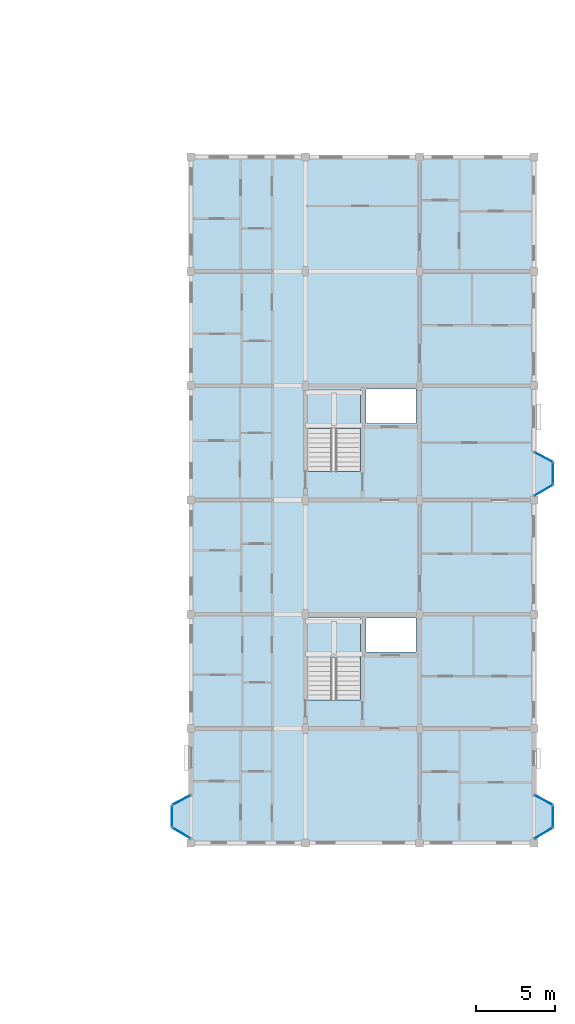
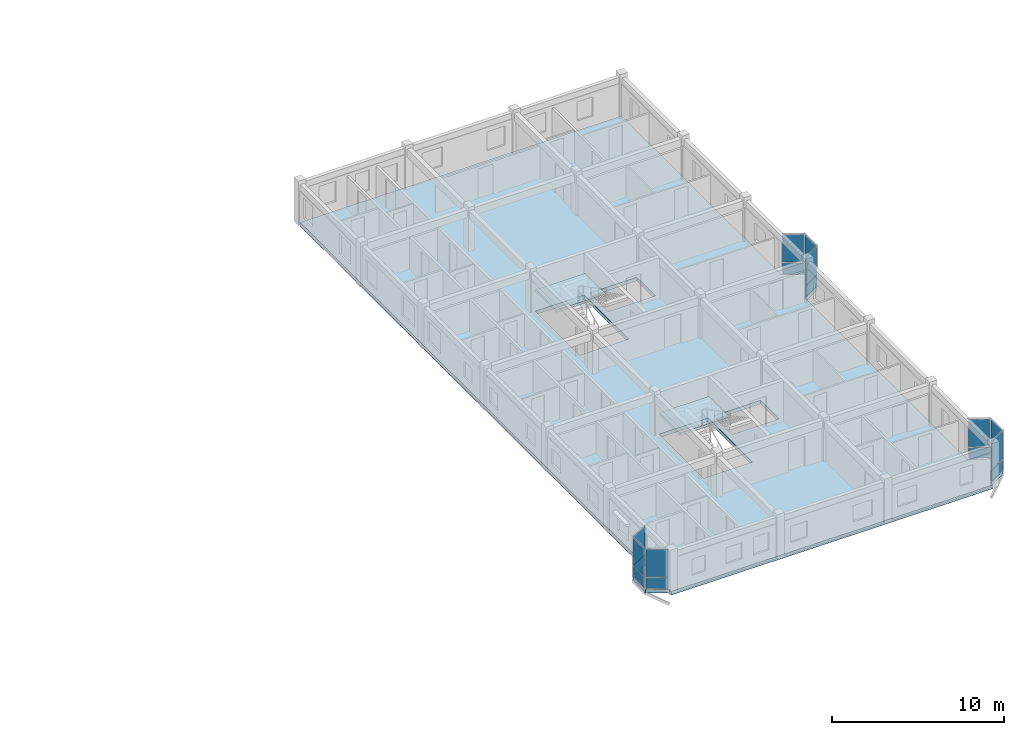
# One storey, part 42 of 65: 18 plates, 3 slabs, 11 elements without a shape of their own.
"""IFC4 building model written with IfcOpenShell, lengths in metres."""

from ifc_helpers import new_model, si_unit, direction, frame, origin, origin_2d, place, context, subcontext, project, spatial, polyline, rectangle, outline, extrude, material, layer, layer_set, type_object, element, aggregate, save


model = new_model("IFC4")

# Units and contexts
model_context = context("Model", 3, precision=1e-05, world=origin(), true_north=direction((0.0, 1.0)))
body_context = subcontext(model_context, "Body", "Model", "MODEL_VIEW")
ifc_project = project(units=[si_unit("LENGTHUNIT", "METRE"), si_unit("AREAUNIT", "SQUARE_METRE"), si_unit("VOLUMEUNIT", "CUBIC_METRE"), si_unit("PLANEANGLEUNIT", "RADIAN"), si_unit("MASSUNIT", "GRAM", prefix="KILO"), si_unit("THERMODYNAMICTEMPERATUREUNIT", "KELVIN"), si_unit("POWERUNIT", "WATT")], contexts=[model_context])

# Site, building, storey
site_placement = place(None, origin())
site = spatial("IfcSite", under=ifc_project, at=site_placement, CompositionType="ELEMENT")
building_placement = place(site_placement, origin())
building = spatial("IfcBuilding", under=site, at=building_placement, Name="Tavuni Mirador Residences", CompositionType="ELEMENT")
storey_placement = place(building_placement, frame((0.0, 0.0, 29.699951171875)))
storey = spatial("IfcBuildingStorey", under=building, at=storey_placement, Name="L09", CompositionType="ELEMENT", Elevation=29.699951171875)

# Curtain wall, plate
ifc_material_1 = material(Name="Anodised aluminium", Category="aluminium")
ifc_layer_1 = layer(ifc_material_1, 0.1650390625, Name="Anodised aluminium", Category="aluminium")
ifc_layer_set_1 = layer_set([ifc_layer_1], Name="Anodised aluminium")
curtain_wall_type_1 = type_object("IfcCurtainWallType", Name="CWT-MIR-A", PredefinedType="NOTDEFINED", material=ifc_layer_set_1)
curtain_wall_1_placement = place(storey_placement, origin())
curtain_wall_1 = element("IfcCurtainWall", 1, at=curtain_wall_1_placement, inside=storey, type_object=curtain_wall_type_1, Name="CW-MIR-D-E1-L09-MF", PredefinedType="NOTDEFINED")
ifc_material_2 = material(Name="Laminated solar-control glass", Category="glass")
ifc_layer_2 = layer(ifc_material_2, 0.02392578125, Name="Laminated solar-control glass", Category="glass")
ifc_layer_set_2 = layer_set([ifc_layer_2], Name="Laminated solar-control glass")
plate_type_1 = type_object("IfcPlateType", Name="CWP-GL24", PredefinedType="CURTAIN_PANEL", material=ifc_layer_set_2)
plate_1_placement = place(storey_placement, frame((120.0, 88.070068359375, 0.8798828125), z_axis=(0.0, 0.0, 1.0), x_axis=(0.0, 1.0, 0.0)))
plate_1 = element("IfcPlate", 2, at=plate_1_placement, type_object=plate_type_1, Name="CW-01 panel 1.2", PredefinedType="CURTAIN_PANEL", context=body_context, shape_type="SweptSolid", body=[
    extrude(rectangle(XDim=1.300048828125, YDim=0.02392578125, at=origin_2d()), origin(), (0.0, 0.0, 1.0), 1.949951171875),
])

curtain_wall_2_placement = place(storey_placement, origin())
curtain_wall_2 = element("IfcCurtainWall", 3, at=curtain_wall_2_placement, inside=storey, type_object=curtain_wall_type_1, Name="CW-MIR-D-E2-L09-M2", PredefinedType="NOTDEFINED")
plate_2_placement = place(storey_placement, frame((119.39990234375, 110.699951171875, 0.8798828125), z_axis=(0.0, 0.0, 1.0), x_axis=(-0.882352941175, 0.470588235296, 0.0)))
plate_2 = element("IfcPlate", 4, at=plate_2_placement, type_object=plate_type_1, Name="CW-01 panel 1.2", PredefinedType="CURTAIN_PANEL", context=body_context, shape_type="SweptSolid", body=[
    extrude(rectangle(XDim=1.239990234375, YDim=0.02392578125, at=origin_2d()), origin(), (0.0, 0.0, 1.0), 1.949951171875),
])

ifc_layer_3 = layer(ifc_material_1, 0.14990234375, Name="Anodised aluminium", Category="aluminium")
ifc_layer_set_3 = layer_set([ifc_layer_3], Name="Anodised aluminium")
curtain_wall_type_2 = type_object("IfcCurtainWallType", Name="CWT-MIR-B", PredefinedType="NOTDEFINED", material=ifc_layer_set_3)
curtain_wall_3_placement = place(storey_placement, origin())
curtain_wall_3 = element("IfcCurtainWall", 5, at=curtain_wall_3_placement, inside=storey, type_object=curtain_wall_type_2, Name="CW-MIR-D-E1-L09-M2", PredefinedType="NOTDEFINED")
ifc_layer_4 = layer(ifc_material_2, 0.028076171875, Name="Laminated solar-control glass", Category="glass")
ifc_layer_set_4 = layer_set([ifc_layer_4], Name="Laminated solar-control glass")
plate_type_2 = type_object("IfcPlateType", Name="CWP-GL28", PredefinedType="CURTAIN_PANEL", material=ifc_layer_set_4)
plate_3_placement = place(storey_placement, frame((119.39990234375, 89.10009765625, 0.882568359375), z_axis=(0.0, 0.0, 1.0), x_axis=(-0.882352941175, 0.470588235296, 0.0)))
plate_3 = element("IfcPlate", 6, at=plate_3_placement, type_object=plate_type_2, Name="CW-02 panel 1.2", PredefinedType="CURTAIN_PANEL", context=body_context, shape_type="SweptSolid", body=[
    extrude(rectangle(XDim=1.22998046875, YDim=0.028076171875, at=origin_2d()), origin(), (0.0, 0.0, 1.0), 1.9423828125),
])

curtain_wall_4_placement = place(storey_placement, origin())
curtain_wall_4 = element("IfcCurtainWall", 7, at=curtain_wall_4_placement, inside=storey, type_object=curtain_wall_type_2, Name="CW-MIR-D-WU-L09-M1", PredefinedType="NOTDEFINED")
plate_4_placement = place(storey_placement, frame((96.60009765625, 89.10009765625, 0.882568359375), z_axis=(0.0, 0.0, 1.0), x_axis=(-0.882352941175, -0.470588235296, 0.0)))
plate_4 = element("IfcPlate", 8, at=plate_4_placement, type_object=plate_type_2, Name="CW-02 panel 1.2", PredefinedType="CURTAIN_PANEL", context=body_context, shape_type="SweptSolid", body=[
    extrude(rectangle(XDim=1.22998046875, YDim=0.028076171875, at=origin_2d()), origin(), (0.0, 0.0, 1.0), 1.9423828125),
])

ifc_layer_5 = layer(ifc_material_1, 0.175048828125, Name="Anodised aluminium", Category="aluminium")
ifc_layer_set_5 = layer_set([ifc_layer_5], Name="Anodised aluminium")
curtain_wall_type_3 = type_object("IfcCurtainWallType", Name="CWT-MIR-C", PredefinedType="NOTDEFINED", material=ifc_layer_set_5)
curtain_wall_5_placement = place(storey_placement, origin())
curtain_wall_5 = element("IfcCurtainWall", 9, at=curtain_wall_5_placement, inside=storey, type_object=curtain_wall_type_3, Name="CW-MIR-D-E2-L09-M1", PredefinedType="NOTDEFINED")
ifc_layer_6 = layer(ifc_material_2, 0.031982421875, Name="Laminated solar-control glass", Category="glass")
ifc_layer_set_6 = layer_set([ifc_layer_6], Name="Laminated solar-control glass")
plate_type_3 = type_object("IfcPlateType", Name="CWP-GL32", PredefinedType="CURTAIN_PANEL", material=ifc_layer_set_6)
plate_5_placement = place(storey_placement, frame((119.39990234375, 108.60498046875, 0.8798828125), z_axis=(0.0, 0.0, 1.0), x_axis=(0.860640830284, 0.509212491254, 0.0)))
plate_5 = element("IfcPlate", 10, at=plate_5_placement, type_object=plate_type_3, Name="CW-03 panel 1.2", PredefinedType="CURTAIN_PANEL", context=body_context, shape_type="SweptSolid", body=[
    extrude(rectangle(XDim=1.2744140625, YDim=0.031982421875, at=origin_2d()), origin(), (0.0, 0.0, 1.0), 1.949951171875),
])

curtain_wall_6_placement = place(storey_placement, origin())
curtain_wall_6 = element("IfcCurtainWall", 11, at=curtain_wall_6_placement, inside=storey, type_object=curtain_wall_type_3, Name="CW-MIR-D-WU-L09-MF", PredefinedType="NOTDEFINED")
plate_6_placement = place(storey_placement, frame((96.0, 88.070068359375, 0.8798828125), z_axis=(0.0, 0.0, 1.0), x_axis=(0.0, -1.0, 0.0)))
plate_6 = element("IfcPlate", 12, at=plate_6_placement, type_object=plate_type_3, Name="CW-03 panel 1.2", PredefinedType="CURTAIN_PANEL", context=body_context, shape_type="SweptSolid", body=[
    extrude(rectangle(XDim=1.300048828125, YDim=0.031982421875, at=origin_2d()), origin(), (0.0, 0.0, 1.0), 1.949951171875),
])

ifc_layer_7 = layer(ifc_material_1, 0.159912109375, Name="Anodised aluminium", Category="aluminium")
ifc_layer_set_7 = layer_set([ifc_layer_7], Name="Anodised aluminium")
curtain_wall_type_4 = type_object("IfcCurtainWallType", Name="CWT-MIR-D", PredefinedType="NOTDEFINED", material=ifc_layer_set_7)
curtain_wall_7_placement = place(storey_placement, origin())
curtain_wall_7 = element("IfcCurtainWall", 13, at=curtain_wall_7_placement, inside=storey, type_object=curtain_wall_type_4, Name="CW-MIR-D-E1-L09-M1", PredefinedType="NOTDEFINED")
ifc_layer_8 = layer(ifc_material_2, 0.035888671875, Name="Laminated solar-control glass", Category="glass")
ifc_layer_set_8 = layer_set([ifc_layer_8], Name="Laminated solar-control glass")
plate_type_4 = type_object("IfcPlateType", Name="CWP-GL36", PredefinedType="CURTAIN_PANEL", material=ifc_layer_set_8)
plate_7_placement = place(storey_placement, frame((119.39990234375, 87.0048828125, 0.882568359375), z_axis=(0.0, 0.0, 1.0), x_axis=(0.860640830284, 0.509212491254, 0.0)))
plate_7 = element("IfcPlate", 14, at=plate_7_placement, type_object=plate_type_4, Name="CW-04 panel 1.2", PredefinedType="CURTAIN_PANEL", context=body_context, shape_type="SweptSolid", body=[
    extrude(rectangle(XDim=1.264404296875, YDim=0.035888671875, at=origin_2d()), origin(), (0.0, 0.0, 1.0), 1.9423828125),
])

curtain_wall_8_placement = place(storey_placement, origin())
curtain_wall_8 = element("IfcCurtainWall", 15, at=curtain_wall_8_placement, inside=storey, type_object=curtain_wall_type_4, Name="CW-MIR-D-E2-L09-MF", PredefinedType="NOTDEFINED")
plate_8_placement = place(storey_placement, frame((120.0, 109.669921875, 0.882568359375), z_axis=(0.0, 0.0, 1.0), x_axis=(0.0, 1.0, 0.0)))
plate_8 = element("IfcPlate", 16, at=plate_8_placement, type_object=plate_type_4, Name="CW-04 panel 1.2", PredefinedType="CURTAIN_PANEL", context=body_context, shape_type="SweptSolid", body=[
    extrude(rectangle(XDim=1.2900390625, YDim=0.035888671875, at=origin_2d()), origin(), (0.0, 0.0, 1.0), 1.9423828125),
])

curtain_wall_9_placement = place(storey_placement, origin())
curtain_wall_9 = element("IfcCurtainWall", 17, at=curtain_wall_9_placement, inside=storey, type_object=curtain_wall_type_4, Name="CW-MIR-D-WU-L09-M2", PredefinedType="NOTDEFINED")
plate_9_placement = place(storey_placement, frame((96.60009765625, 87.0048828125, 0.882568359375), z_axis=(0.0, 0.0, 1.0), x_axis=(0.860640830284, -0.509212491254, 0.0)))
plate_9 = element("IfcPlate", 18, at=plate_9_placement, type_object=plate_type_4, Name="CW-04 panel 1.2", PredefinedType="CURTAIN_PANEL", context=body_context, shape_type="SweptSolid", body=[
    extrude(rectangle(XDim=1.264404296875, YDim=0.035888671875, at=origin_2d()), origin(), (0.0, 0.0, 1.0), 1.9423828125),
])

# Plate
ifc_material_3 = material(Name="Ceramic trencadis mosaic panel", Category="masonry")
ifc_layer_9 = layer(ifc_material_3, 0.0419921875, Name="Ceramic trencadis mosaic panel", Category="masonry")
ifc_layer_set_9 = layer_set([ifc_layer_9], Name="Ceramic trencadis mosaic panel")
plate_type_5 = type_object("IfcPlateType", Name="CWP-SP42", PredefinedType="CURTAIN_PANEL", material=ifc_layer_set_9)
plate_10_placement = place(storey_placement, frame((120.0, 88.070068359375, 0.06005859375), z_axis=(0.0, 0.0, 1.0), x_axis=(0.0, 1.0, 0.0)))
plate_10 = element("IfcPlate", 19, at=plate_10_placement, type_object=plate_type_5, Name="CW-01 panel 1.1", PredefinedType="CURTAIN_PANEL", context=body_context, shape_type="SweptSolid", body=[
    extrude(rectangle(XDim=1.300048828125, YDim=0.0419921875, at=origin_2d()), origin(), (0.0, 0.0, 1.0), 0.760009765625),
])

aggregate(curtain_wall_1, [plate_10, plate_1])

plate_11_placement = place(storey_placement, frame((119.39990234375, 108.60498046875, 0.06005859375), z_axis=(0.0, 0.0, 1.0), x_axis=(0.860640830284, 0.509212491254, 0.0)))
plate_11 = element("IfcPlate", 20, at=plate_11_placement, type_object=plate_type_5, Name="CW-03 panel 1.1", PredefinedType="CURTAIN_PANEL", context=body_context, shape_type="SweptSolid", body=[
    extrude(rectangle(XDim=1.2744140625, YDim=0.0419921875, at=origin_2d()), origin(), (0.0, 0.0, 1.0), 0.760009765625),
])

aggregate(curtain_wall_5, [plate_11, plate_5])

plate_12_placement = place(storey_placement, frame((119.39990234375, 110.699951171875, 0.06005859375), z_axis=(0.0, 0.0, 1.0), x_axis=(-0.882352941175, 0.470588235296, 0.0)))
plate_12 = element("IfcPlate", 21, at=plate_12_placement, type_object=plate_type_5, Name="CW-01 panel 1.1", PredefinedType="CURTAIN_PANEL", context=body_context, shape_type="SweptSolid", body=[
    extrude(rectangle(XDim=1.239990234375, YDim=0.0419921875, at=origin_2d()), origin(), (0.0, 0.0, 1.0), 0.760009765625),
])

aggregate(curtain_wall_2, [plate_12, plate_2])

plate_13_placement = place(storey_placement, frame((96.0, 88.070068359375, 0.06005859375), z_axis=(0.0, 0.0, 1.0), x_axis=(0.0, -1.0, 0.0)))
plate_13 = element("IfcPlate", 22, at=plate_13_placement, type_object=plate_type_5, Name="CW-03 panel 1.1", PredefinedType="CURTAIN_PANEL", context=body_context, shape_type="SweptSolid", body=[
    extrude(rectangle(XDim=1.300048828125, YDim=0.0419921875, at=origin_2d()), origin(), (0.0, 0.0, 1.0), 0.760009765625),
])

aggregate(curtain_wall_6, [plate_13, plate_6])

ifc_layer_10 = layer(ifc_material_3, 0.048095703125, Name="Ceramic trencadis mosaic panel", Category="masonry")
ifc_layer_set_10 = layer_set([ifc_layer_10], Name="Ceramic trencadis mosaic panel")
plate_type_6 = type_object("IfcPlateType", Name="CWP-SP48", PredefinedType="CURTAIN_PANEL", material=ifc_layer_set_10)
plate_14_placement = place(storey_placement, frame((119.39990234375, 87.0048828125, 0.065185546875), z_axis=(0.0, 0.0, 1.0), x_axis=(0.860640830284, 0.509212491254, 0.0)))
plate_14 = element("IfcPlate", 23, at=plate_14_placement, type_object=plate_type_6, Name="CW-04 panel 1.1", PredefinedType="CURTAIN_PANEL", context=body_context, shape_type="SweptSolid", body=[
    extrude(rectangle(XDim=1.264404296875, YDim=0.048095703125, at=origin_2d()), origin(), (0.0, 0.0, 1.0), 0.75244140625),
])

aggregate(curtain_wall_7, [plate_14, plate_7])

plate_15_placement = place(storey_placement, frame((119.39990234375, 89.10009765625, 0.065185546875), z_axis=(0.0, 0.0, 1.0), x_axis=(-0.882352941175, 0.470588235296, 0.0)))
plate_15 = element("IfcPlate", 24, at=plate_15_placement, type_object=plate_type_6, Name="CW-02 panel 1.1", PredefinedType="CURTAIN_PANEL", context=body_context, shape_type="SweptSolid", body=[
    extrude(rectangle(XDim=1.22998046875, YDim=0.048095703125, at=origin_2d()), origin(), (0.0, 0.0, 1.0), 0.75244140625),
])

aggregate(curtain_wall_3, [plate_15, plate_3])

plate_16_placement = place(storey_placement, frame((120.0, 109.669921875, 0.065185546875), z_axis=(0.0, 0.0, 1.0), x_axis=(0.0, 1.0, 0.0)))
plate_16 = element("IfcPlate", 25, at=plate_16_placement, type_object=plate_type_6, Name="CW-04 panel 1.1", PredefinedType="CURTAIN_PANEL", context=body_context, shape_type="SweptSolid", body=[
    extrude(rectangle(XDim=1.2900390625, YDim=0.048095703125, at=origin_2d()), origin(), (0.0, 0.0, 1.0), 0.75244140625),
])

aggregate(curtain_wall_8, [plate_16, plate_8])

plate_17_placement = place(storey_placement, frame((96.60009765625, 89.10009765625, 0.065185546875), z_axis=(0.0, 0.0, 1.0), x_axis=(-0.882352941175, -0.470588235296, 0.0)))
plate_17 = element("IfcPlate", 26, at=plate_17_placement, type_object=plate_type_6, Name="CW-02 panel 1.1", PredefinedType="CURTAIN_PANEL", context=body_context, shape_type="SweptSolid", body=[
    extrude(rectangle(XDim=1.22998046875, YDim=0.048095703125, at=origin_2d()), origin(), (0.0, 0.0, 1.0), 0.75244140625),
])

aggregate(curtain_wall_4, [plate_17, plate_4])

plate_18_placement = place(storey_placement, frame((96.60009765625, 87.0048828125, 0.065185546875), z_axis=(0.0, 0.0, 1.0), x_axis=(0.860640830284, -0.509212491254, 0.0)))
plate_18 = element("IfcPlate", 27, at=plate_18_placement, type_object=plate_type_6, Name="CW-04 panel 1.1", PredefinedType="CURTAIN_PANEL", context=body_context, shape_type="SweptSolid", body=[
    extrude(rectangle(XDim=1.264404296875, YDim=0.048095703125, at=origin_2d()), origin(), (0.0, 0.0, 1.0), 0.75244140625),
])

aggregate(curtain_wall_9, [plate_18, plate_9])

# Slab
ifc_material_4 = material(Name="Prestressed concrete C45/55", Category="concrete")
ifc_layer_11 = layer(ifc_material_4, 0.260009765625, Name="Prestressed concrete C45/55", Category="concrete")
ifc_layer_set_11 = layer_set([ifc_layer_11], Name="Prestressed concrete C45/55")
slab_type_1 = type_object("IfcSlabType", Name="SLT-FLR260", PredefinedType="FLOOR", material=ifc_layer_set_11)
slab_1_placement = place(storey_placement, frame((0.0, 0.0, -0.260009765625)))
element("IfcSlab", 28, at=slab_1_placement, inside=storey, type_object=slab_type_1, Name="SLB-BLK-D-L09", PredefinedType="FLOOR", context=body_context, shape_type="SweptSolid", body=[
    extrude(outline(polyline([(97.199951171875, 86.39990234375), (118.800048828125, 86.39990234375), (118.800048828125, 86.64990234375), (120.0, 87.360107421875), (120.0, 88.780029296875), (118.800048828125, 89.419921875), (118.800048828125, 108.25), (120.0, 108.9599609375), (120.0, 110.3798828125), (118.800048828125, 111.02001953125), (118.800048828125, 129.60009765625), (97.199951171875, 129.60009765625), (97.199951171875, 89.419921875), (96.0, 88.780029296875), (96.0, 87.360107421875), (97.199951171875, 86.64990234375), (97.199951171875, 86.39990234375)]), holes=[polyline([(104.56005859375, 95.407958984375), (107.840087890625, 95.407958984375), (107.840087890625, 100.56005859375), (104.56005859375, 100.56005859375), (104.56005859375, 95.407958984375)]), polyline([(108.219970703125, 98.419921875), (111.3798828125, 98.419921875), (111.3798828125, 100.580078125), (108.219970703125, 100.580078125), (108.219970703125, 98.419921875)]), polyline([(104.56005859375, 109.80810546875), (107.840087890625, 109.80810546875), (107.840087890625, 114.9599609375), (104.56005859375, 114.9599609375), (104.56005859375, 109.80810546875)]), polyline([(108.219970703125, 112.820068359375), (111.3798828125, 112.820068359375), (111.3798828125, 114.97998046875), (108.219970703125, 114.97998046875), (108.219970703125, 112.820068359375)])]), origin(), (0.0, 0.0, 1.0), 0.260009765625),
])

# Stair, slab
ifc_material_5 = material(Name="Precast concrete C40/50", Category="concrete")
stair_type = type_object("IfcStairType", Name="STT-TYP", PredefinedType="HALF_TURN_STAIR", material=ifc_material_5)
stair_1_placement = place(storey_placement, origin())
stair_1 = element("IfcStair", 29, at=stair_1_placement, inside=storey, type_object=stair_type, Name="Protected exit stair ST7 (L09)", PredefinedType="HALF_TURN_STAIR")
ifc_layer_12 = layer(ifc_material_5, 0.179931640625, Name="Precast concrete C40/50", Category="concrete")
ifc_layer_set_12 = layer_set([ifc_layer_12], Name="Precast concrete C40/50")
slab_type_2 = type_object("IfcSlabType", Name="SLT-LND180", PredefinedType="LANDING", material=ifc_layer_set_12)
slab_2_placement = place(storey_placement, frame((0.0, 0.0, 1.39501953125)))
slab_2 = element("IfcSlab", 30, at=slab_2_placement, type_object=slab_type_2, Name="ST7 landing 1", PredefinedType="LANDING", context=body_context, shape_type="SweptSolid", body=[
    extrude(outline(polyline([(104.5400390625, 98.092041015625), (107.860107421875, 98.092041015625), (107.860107421875, 100.5), (104.5400390625, 100.5), (104.5400390625, 98.092041015625)])), origin(), (0.0, 0.0, 1.0), 0.179931640625),
])
aggregate(stair_1, [slab_2])

stair_2_placement = place(storey_placement, origin())
stair_2 = element("IfcStair", 31, at=stair_2_placement, inside=storey, type_object=stair_type, Name="Protected exit stair ST8 (L09)", PredefinedType="HALF_TURN_STAIR")
slab_3_placement = place(storey_placement, frame((0.0, 0.0, 1.39501953125)))
slab_3 = element("IfcSlab", 32, at=slab_3_placement, type_object=slab_type_2, Name="ST8 landing 1", PredefinedType="LANDING", context=body_context, shape_type="SweptSolid", body=[
    extrude(outline(polyline([(104.5400390625, 112.491943359375), (107.860107421875, 112.491943359375), (107.860107421875, 114.89990234375), (104.5400390625, 114.89990234375), (104.5400390625, 112.491943359375)])), origin(), (0.0, 0.0, 1.0), 0.179931640625),
])
aggregate(stair_2, [slab_3])

save(model, "model.ifc")
